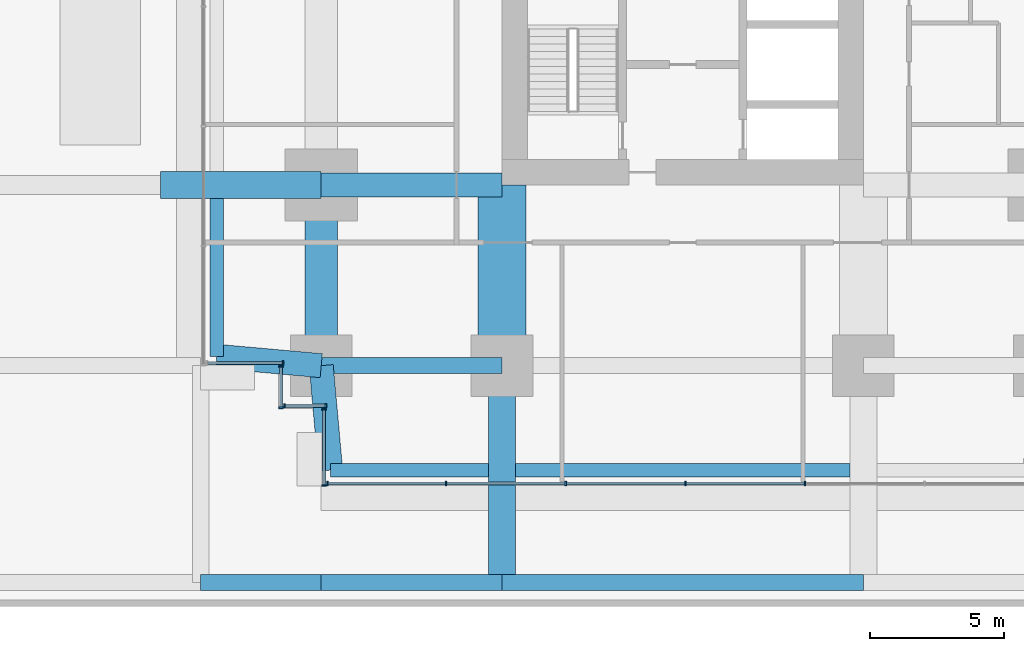
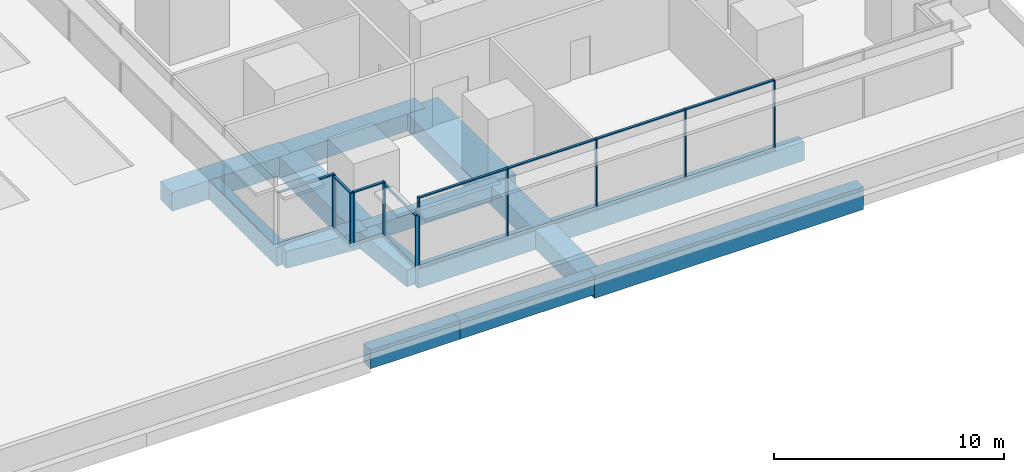
# One storey, part 13 of 34: 28 members, 14 beams, 5 elements without a shape of their own.
"""IFC4 building model written with IfcOpenShell, lengths in metres."""

from ifc_helpers import new_model, si_unit, direction, frame, origin, origin_2d, place, context, subcontext, project, spatial, rectangle, extrude, material, layer, layer_set, material_profile, profile_set, type_object, element, aggregate, save


model = new_model("IFC4")

# Units and contexts
model_context = context("Model", 3, precision=1e-05, world=origin(), true_north=direction((0.0, 1.0)))
body_context = subcontext(model_context, "Body", "Model", "MODEL_VIEW")
ifc_project = project(units=[si_unit("LENGTHUNIT", "METRE"), si_unit("AREAUNIT", "SQUARE_METRE"), si_unit("VOLUMEUNIT", "CUBIC_METRE"), si_unit("PLANEANGLEUNIT", "RADIAN"), si_unit("MASSUNIT", "GRAM", prefix="KILO")], contexts=[model_context])

# Site, building, storey
site_placement = place(None, origin())
site = spatial("IfcSite", under=ifc_project, at=site_placement, CompositionType="ELEMENT")
building_placement = place(site_placement, origin())
building = spatial("IfcBuilding", under=site, at=building_placement, Name="Namib Vertical Campus", CompositionType="ELEMENT")
storey_placement = place(building_placement, frame((0.0, 0.0, 21.0)))
storey = spatial("IfcBuildingStorey", under=building, at=storey_placement, Name="L04", CompositionType="ELEMENT", Elevation=21.0)

# Curtain wall, members
ifc_material_1 = material(Name="Black aluminium curtain wall", Category="aluminium")
ifc_layer = layer(ifc_material_1, 0.199951171875)
ifc_layer_set = layer_set([ifc_layer], Name="Lounge curtain wall CW-L4")
curtain_wall_type = type_object("IfcCurtainWallType", Name="Lounge curtain wall CW-L4", PredefinedType="USERDEFINED", material=ifc_layer_set)
curtain_wall_1_placement = place(storey_placement, origin())
curtain_wall_1 = element("IfcCurtainWall", 1, at=curtain_wall_1_placement, inside=storey, type_object=curtain_wall_type, Name="Curtain wall CW-L4 L04 F01-1", ObjectType="CURTAIN WALL", PredefinedType="USERDEFINED")
ifc_material_2 = material(Name="Black anodised aluminium", Category="aluminium")
ifc_material_profile_1 = material_profile(ifc_material_2, rectangle(XDim=0.06005859375, YDim=0.159912109375, at=origin_2d()))
ifc_profile_set_1 = profile_set([ifc_material_profile_1], Name="Black anodised aluminium")
member_type_1 = type_object("IfcMemberType", Name="Curtain wall mullion 60x160", PredefinedType="MULLION", material=ifc_profile_set_1)
member_1_placement = place(storey_placement, frame((67.72998046875, 0.10009765625, 0.0), z_axis=(0.0, 0.0, 1.0), x_axis=(1.0, 0.0, 0.0)))
member_1 = element("IfcMember", 2, at=member_1_placement, type_object=member_type_1, Name="CW-L4 mullion 1", PredefinedType="MULLION", context=body_context, shape_type="SweptSolid", body=[
    extrude(rectangle(XDim=0.06005859375, YDim=0.159912109375, at=origin_2d()), origin(), (0.0, 0.0, 1.0), 3.75),
])
member_2_placement = place(storey_placement, frame((72.166748046875, 0.10009765625, 0.0), z_axis=(0.0, 0.0, 1.0), x_axis=(1.0, 0.0, 0.0)))
member_2 = element("IfcMember", 3, at=member_2_placement, type_object=member_type_1, Name="CW-L4 mullion 2", PredefinedType="MULLION", context=body_context, shape_type="SweptSolid", body=[
    extrude(rectangle(XDim=0.06005859375, YDim=0.159912109375, at=origin_2d()), origin(), (0.0, 0.0, 1.0), 3.75),
])
member_3_placement = place(storey_placement, frame((76.63330078125, 0.10009765625, 0.0), z_axis=(0.0, 0.0, 1.0), x_axis=(1.0, 0.0, 0.0)))
member_3 = element("IfcMember", 4, at=member_3_placement, type_object=member_type_1, Name="CW-L4 mullion 3", PredefinedType="MULLION", context=body_context, shape_type="SweptSolid", body=[
    extrude(rectangle(XDim=0.06005859375, YDim=0.159912109375, at=origin_2d()), origin(), (0.0, 0.0, 1.0), 3.75),
])
member_4_placement = place(storey_placement, frame((81.10009765625, 0.10009765625, 0.0), z_axis=(0.0, 0.0, 1.0), x_axis=(1.0, 0.0, 0.0)))
member_4 = element("IfcMember", 5, at=member_4_placement, type_object=member_type_1, Name="CW-L4 mullion 4", PredefinedType="MULLION", context=body_context, shape_type="SweptSolid", body=[
    extrude(rectangle(XDim=0.06005859375, YDim=0.159912109375, at=origin_2d()), origin(), (0.0, 0.0, 1.0), 3.75),
])
member_5_placement = place(storey_placement, frame((85.566650390625, 0.10009765625, 0.0), z_axis=(0.0, 0.0, 1.0), x_axis=(1.0, 0.0, 0.0)))
member_5 = element("IfcMember", 6, at=member_5_placement, type_object=member_type_1, Name="CW-L4 mullion 5", PredefinedType="MULLION", context=body_context, shape_type="SweptSolid", body=[
    extrude(rectangle(XDim=0.06005859375, YDim=0.159912109375, at=origin_2d()), origin(), (0.0, 0.0, 1.0), 3.75),
])

# Curtain wall, member
curtain_wall_2_placement = place(storey_placement, origin())
curtain_wall_2 = element("IfcCurtainWall", 7, at=curtain_wall_2_placement, inside=storey, type_object=curtain_wall_type, Name="Curtain wall CW-L4 L04 F17-1", ObjectType="CURTAIN WALL", PredefinedType="USERDEFINED")
member_6_placement = place(storey_placement, frame((66.070068359375, 4.60009765625, 0.0), z_axis=(0.0, 0.0, 1.0), x_axis=(1.0, 0.0, 0.0)))
member_6 = element("IfcMember", 8, at=member_6_placement, type_object=member_type_1, Name="CW-L4 mullion 2", PredefinedType="MULLION", context=body_context, shape_type="SweptSolid", body=[
    extrude(rectangle(XDim=0.06005859375, YDim=0.159912109375, at=origin_2d()), origin(), (0.0, 0.0, 1.0), 2.85009765625),
])

# Curtain wall, members
curtain_wall_3_placement = place(storey_placement, origin())
curtain_wall_3 = element("IfcCurtainWall", 9, at=curtain_wall_3_placement, inside=storey, type_object=curtain_wall_type, Name="Curtain wall CW-L4 L04 F18-1", ObjectType="CURTAIN WALL", PredefinedType="USERDEFINED")
member_7_placement = place(storey_placement, frame((66.0, 4.469970703125, 0.0), z_axis=(0.0, 0.0, 1.0), x_axis=(0.0, -1.0, 0.0)))
member_7 = element("IfcMember", 10, at=member_7_placement, type_object=member_type_1, Name="CW-L4 mullion 1", PredefinedType="MULLION", context=body_context, shape_type="SweptSolid", body=[
    extrude(rectangle(XDim=0.06005859375, YDim=0.159912109375, at=origin_2d()), origin(), (0.0, 0.0, 1.0), 2.85009765625),
])
member_8_placement = place(storey_placement, frame((66.0, 2.929931640625, 0.0), z_axis=(0.0, 0.0, 1.0), x_axis=(0.0, -1.0, 0.0)))
member_8 = element("IfcMember", 11, at=member_8_placement, type_object=member_type_1, Name="CW-L4 mullion 2", PredefinedType="MULLION", context=body_context, shape_type="SweptSolid", body=[
    extrude(rectangle(XDim=0.06005859375, YDim=0.159912109375, at=origin_2d()), origin(), (0.0, 0.0, 1.0), 2.85009765625),
])

curtain_wall_4_placement = place(storey_placement, origin())
curtain_wall_4 = element("IfcCurtainWall", 12, at=curtain_wall_4_placement, inside=storey, type_object=curtain_wall_type, Name="Curtain wall CW-L4 L04 F19-1", ObjectType="CURTAIN WALL", PredefinedType="USERDEFINED")
member_9_placement = place(storey_placement, frame((66.1298828125, 3.0, 0.0), z_axis=(0.0, 0.0, 1.0), x_axis=(1.0, 0.0, 0.0)))
member_9 = element("IfcMember", 13, at=member_9_placement, type_object=member_type_1, Name="CW-L4 mullion 1", PredefinedType="MULLION", context=body_context, shape_type="SweptSolid", body=[
    extrude(rectangle(XDim=0.06005859375, YDim=0.159912109375, at=origin_2d()), origin(), (0.0, 0.0, 1.0), 2.85009765625),
])
member_10_placement = place(storey_placement, frame((67.669921875, 3.0, 0.0), z_axis=(0.0, 0.0, 1.0), x_axis=(1.0, 0.0, 0.0)))
member_10 = element("IfcMember", 14, at=member_10_placement, type_object=member_type_1, Name="CW-L4 mullion 2", PredefinedType="MULLION", context=body_context, shape_type="SweptSolid", body=[
    extrude(rectangle(XDim=0.06005859375, YDim=0.159912109375, at=origin_2d()), origin(), (0.0, 0.0, 1.0), 2.85009765625),
])

curtain_wall_5_placement = place(storey_placement, origin())
curtain_wall_5 = element("IfcCurtainWall", 15, at=curtain_wall_5_placement, inside=storey, type_object=curtain_wall_type, Name="Curtain wall CW-L4 L04 F20-1", ObjectType="CURTAIN WALL", PredefinedType="USERDEFINED")
member_11_placement = place(storey_placement, frame((67.60009765625, 2.8701171875, 0.0), z_axis=(0.0, 0.0, 1.0), x_axis=(0.0, -1.0, 0.0)))
member_11 = element("IfcMember", 16, at=member_11_placement, type_object=member_type_1, Name="CW-L4 mullion 1", PredefinedType="MULLION", context=body_context, shape_type="SweptSolid", body=[
    extrude(rectangle(XDim=0.06005859375, YDim=0.159912109375, at=origin_2d()), origin(), (0.0, 0.0, 1.0), 2.85009765625),
])
member_12_placement = place(storey_placement, frame((67.60009765625, 0.030029296875, 0.0), z_axis=(0.0, 0.0, 1.0), x_axis=(0.0, -1.0, 0.0)))
member_12 = element("IfcMember", 17, at=member_12_placement, type_object=member_type_1, Name="CW-L4 mullion 2", PredefinedType="MULLION", context=body_context, shape_type="SweptSolid", body=[
    extrude(rectangle(XDim=0.06005859375, YDim=0.159912109375, at=origin_2d()), origin(), (0.0, 0.0, 1.0), 2.85009765625),
])

# Member
ifc_material_3 = material(Name="Black anodised aluminium", Category="aluminium")
ifc_material_profile_2 = material_profile(ifc_material_3, rectangle(XDim=0.06005859375, YDim=0.1201171875, at=origin_2d()))
ifc_profile_set_2 = profile_set([ifc_material_profile_2], Name="Black anodised aluminium")
member_type_2 = type_object("IfcMemberType", Name="Curtain wall transom 60x120", PredefinedType="USERDEFINED", material=ifc_profile_set_2)
member_13_placement = place(storey_placement, frame((67.760009765625, 0.10009765625, 0.030029296875), z_axis=(1.0, 0.0, 0.0), x_axis=(0.0, 0.0, 1.0)))
member_13 = element("IfcMember", 18, at=member_13_placement, type_object=member_type_2, Name="CW-L4 transom 1.1", ObjectType="TRANSOM", PredefinedType="USERDEFINED", context=body_context, shape_type="SweptSolid", body=[
    extrude(rectangle(XDim=0.06005859375, YDim=0.1201171875, at=origin_2d()), origin(), (0.0, 0.0, 1.0), 4.376708984375),
])

member_14_placement = place(storey_placement, frame((67.760009765625, 0.10009765625, 3.719970703125), z_axis=(1.0, 0.0, 0.0), x_axis=(0.0, 0.0, 1.0)))
member_14 = element("IfcMember", 19, at=member_14_placement, type_object=member_type_2, Name="CW-L4 transom 1.2", ObjectType="TRANSOM", PredefinedType="USERDEFINED", context=body_context, shape_type="SweptSolid", body=[
    extrude(rectangle(XDim=0.06005859375, YDim=0.1201171875, at=origin_2d()), origin(), (0.0, 0.0, 1.0), 4.376708984375),
])

member_15_placement = place(storey_placement, frame((72.19677734375, 0.10009765625, 0.030029296875), z_axis=(1.0, 0.0, 0.0), x_axis=(0.0, 0.0, 1.0)))
member_15 = element("IfcMember", 20, at=member_15_placement, type_object=member_type_2, Name="CW-L4 transom 2.1", ObjectType="TRANSOM", PredefinedType="USERDEFINED", context=body_context, shape_type="SweptSolid", body=[
    extrude(rectangle(XDim=0.06005859375, YDim=0.1201171875, at=origin_2d()), origin(), (0.0, 0.0, 1.0), 4.406494140625),
])

member_16_placement = place(storey_placement, frame((72.19677734375, 0.10009765625, 3.719970703125), z_axis=(1.0, 0.0, 0.0), x_axis=(0.0, 0.0, 1.0)))
member_16 = element("IfcMember", 21, at=member_16_placement, type_object=member_type_2, Name="CW-L4 transom 2.2", ObjectType="TRANSOM", PredefinedType="USERDEFINED", context=body_context, shape_type="SweptSolid", body=[
    extrude(rectangle(XDim=0.06005859375, YDim=0.1201171875, at=origin_2d()), origin(), (0.0, 0.0, 1.0), 4.406494140625),
])

member_17_placement = place(storey_placement, frame((76.663330078125, 0.10009765625, 0.030029296875), z_axis=(1.0, 0.0, 0.0), x_axis=(0.0, 0.0, 1.0)))
member_17 = element("IfcMember", 22, at=member_17_placement, type_object=member_type_2, Name="CW-L4 transom 3.1", ObjectType="TRANSOM", PredefinedType="USERDEFINED", context=body_context, shape_type="SweptSolid", body=[
    extrude(rectangle(XDim=0.06005859375, YDim=0.1201171875, at=origin_2d()), origin(), (0.0, 0.0, 1.0), 4.40673828125),
])

member_18_placement = place(storey_placement, frame((76.663330078125, 0.10009765625, 3.719970703125), z_axis=(1.0, 0.0, 0.0), x_axis=(0.0, 0.0, 1.0)))
member_18 = element("IfcMember", 23, at=member_18_placement, type_object=member_type_2, Name="CW-L4 transom 3.2", ObjectType="TRANSOM", PredefinedType="USERDEFINED", context=body_context, shape_type="SweptSolid", body=[
    extrude(rectangle(XDim=0.06005859375, YDim=0.1201171875, at=origin_2d()), origin(), (0.0, 0.0, 1.0), 4.40673828125),
])

member_19_placement = place(storey_placement, frame((81.1298828125, 0.10009765625, 0.030029296875), z_axis=(1.0, 0.0, 0.0), x_axis=(0.0, 0.0, 1.0)))
member_19 = element("IfcMember", 24, at=member_19_placement, type_object=member_type_2, Name="CW-L4 transom 4.1", ObjectType="TRANSOM", PredefinedType="USERDEFINED", context=body_context, shape_type="SweptSolid", body=[
    extrude(rectangle(XDim=0.06005859375, YDim=0.1201171875, at=origin_2d()), origin(), (0.0, 0.0, 1.0), 4.40673828125),
])

member_20_placement = place(storey_placement, frame((81.1298828125, 0.10009765625, 3.719970703125), z_axis=(1.0, 0.0, 0.0), x_axis=(0.0, 0.0, 1.0)))
member_20 = element("IfcMember", 25, at=member_20_placement, type_object=member_type_2, Name="CW-L4 transom 4.2", ObjectType="TRANSOM", PredefinedType="USERDEFINED", context=body_context, shape_type="SweptSolid", body=[
    extrude(rectangle(XDim=0.06005859375, YDim=0.1201171875, at=origin_2d()), origin(), (0.0, 0.0, 1.0), 4.40673828125),
])

aggregate(curtain_wall_1, [member_1, member_2, member_3, member_4, member_5, member_13, member_14, member_15, member_16, member_17, member_18, member_19, member_20])

member_21_placement = place(storey_placement, frame((63.260009765625, 4.60009765625, 0.030029296875), z_axis=(1.0, 0.0, 0.0), x_axis=(0.0, 0.0, 1.0)))
member_21 = element("IfcMember", 26, at=member_21_placement, type_object=member_type_2, Name="CW-L4 transom 1.1", ObjectType="TRANSOM", PredefinedType="USERDEFINED", context=body_context, shape_type="SweptSolid", body=[
    extrude(rectangle(XDim=0.06005859375, YDim=0.1201171875, at=origin_2d()), origin(), (0.0, 0.0, 1.0), 2.780029296875),
])

member_22_placement = place(storey_placement, frame((63.260009765625, 4.60009765625, 2.820068359375), z_axis=(1.0, 0.0, 0.0), x_axis=(0.0, 0.0, 1.0)))
member_22 = element("IfcMember", 27, at=member_22_placement, type_object=member_type_2, Name="CW-L4 transom 1.2", ObjectType="TRANSOM", PredefinedType="USERDEFINED", context=body_context, shape_type="SweptSolid", body=[
    extrude(rectangle(XDim=0.06005859375, YDim=0.1201171875, at=origin_2d()), origin(), (0.0, 0.0, 1.0), 2.780029296875),
])

aggregate(curtain_wall_2, [member_6, member_21, member_22])

member_23_placement = place(storey_placement, frame((66.0, 4.43994140625, 0.030029296875), z_axis=(0.0, -1.0, 0.0), x_axis=(0.0, 0.0, 1.0)))
member_23 = element("IfcMember", 28, at=member_23_placement, type_object=member_type_2, Name="CW-L4 transom 1.1", ObjectType="TRANSOM", PredefinedType="USERDEFINED", context=body_context, shape_type="SweptSolid", body=[
    extrude(rectangle(XDim=0.06005859375, YDim=0.1201171875, at=origin_2d()), origin(), (0.0, 0.0, 1.0), 1.47998046875),
])

member_24_placement = place(storey_placement, frame((66.0, 4.43994140625, 2.820068359375), z_axis=(0.0, -1.0, 0.0), x_axis=(0.0, 0.0, 1.0)))
member_24 = element("IfcMember", 29, at=member_24_placement, type_object=member_type_2, Name="CW-L4 transom 1.2", ObjectType="TRANSOM", PredefinedType="USERDEFINED", context=body_context, shape_type="SweptSolid", body=[
    extrude(rectangle(XDim=0.06005859375, YDim=0.1201171875, at=origin_2d()), origin(), (0.0, 0.0, 1.0), 1.47998046875),
])

aggregate(curtain_wall_3, [member_7, member_8, member_23, member_24])

member_25_placement = place(storey_placement, frame((66.159912109375, 3.0, 0.030029296875), z_axis=(1.0, 0.0, 0.0), x_axis=(0.0, 0.0, 1.0)))
member_25 = element("IfcMember", 30, at=member_25_placement, type_object=member_type_2, Name="CW-L4 transom 1.1", ObjectType="TRANSOM", PredefinedType="USERDEFINED", context=body_context, shape_type="SweptSolid", body=[
    extrude(rectangle(XDim=0.06005859375, YDim=0.1201171875, at=origin_2d()), origin(), (0.0, 0.0, 1.0), 1.47998046875),
])

member_26_placement = place(storey_placement, frame((66.159912109375, 3.0, 2.820068359375), z_axis=(1.0, 0.0, 0.0), x_axis=(0.0, 0.0, 1.0)))
member_26 = element("IfcMember", 31, at=member_26_placement, type_object=member_type_2, Name="CW-L4 transom 1.2", ObjectType="TRANSOM", PredefinedType="USERDEFINED", context=body_context, shape_type="SweptSolid", body=[
    extrude(rectangle(XDim=0.06005859375, YDim=0.1201171875, at=origin_2d()), origin(), (0.0, 0.0, 1.0), 1.47998046875),
])

aggregate(curtain_wall_4, [member_9, member_10, member_25, member_26])

member_27_placement = place(storey_placement, frame((67.60009765625, 2.840087890625, 0.030029296875), z_axis=(0.0, -1.0, 0.0), x_axis=(0.0, 0.0, 1.0)))
member_27 = element("IfcMember", 32, at=member_27_placement, type_object=member_type_2, Name="CW-L4 transom 1.1", ObjectType="TRANSOM", PredefinedType="USERDEFINED", context=body_context, shape_type="SweptSolid", body=[
    extrude(rectangle(XDim=0.06005859375, YDim=0.1201171875, at=origin_2d()), origin(), (0.0, 0.0, 1.0), 2.780029296875),
])

member_28_placement = place(storey_placement, frame((67.60009765625, 2.840087890625, 2.820068359375), z_axis=(0.0, -1.0, 0.0), x_axis=(0.0, 0.0, 1.0)))
member_28 = element("IfcMember", 33, at=member_28_placement, type_object=member_type_2, Name="CW-L4 transom 1.2", ObjectType="TRANSOM", PredefinedType="USERDEFINED", context=body_context, shape_type="SweptSolid", body=[
    extrude(rectangle(XDim=0.06005859375, YDim=0.1201171875, at=origin_2d()), origin(), (0.0, 0.0, 1.0), 2.780029296875),
])

aggregate(curtain_wall_5, [member_11, member_12, member_27, member_28])

# Beams
ifc_material_4 = material(Name="Concrete C40/50", Category="concrete")
ifc_material_profile_3 = material_profile(ifc_material_4, rectangle(XDim=0.89990234375, YDim=0.89990234375, at=origin_2d()))
ifc_profile_set_3 = profile_set([ifc_material_profile_3], Name="Concrete C40/50")
beam_type_1 = type_object("IfcBeamType", Name="Face girder RC 900x900", PredefinedType="BEAM", material=ifc_profile_set_3)
beam_1_placement = place(storey_placement, frame((67.5, 11.25, -0.75), z_axis=(1.0, 0.0, 0.0), x_axis=(0.0, 1.0, 0.0)))
element("IfcBeam", 34, at=beam_1_placement, inside=storey, type_object=beam_type_1, Name="Beam B10 L04", PredefinedType="BEAM", context=body_context, shape_type="SweptSolid", body=[
    extrude(rectangle(XDim=0.89990234375, YDim=0.89990234375, at=origin_2d()), origin(), (0.0, 0.0, 1.0), 6.75),
])
ifc_material_5 = material(Name="Concrete C40/50", Category="concrete")
ifc_material_profile_4 = material_profile(ifc_material_5, rectangle(XDim=1.199951171875, YDim=1.10009765625, at=origin_2d()))
ifc_profile_set_4 = profile_set([ifc_material_profile_4], Name="Concrete C40/50")
beam_type_2 = type_object("IfcBeamType", Name="Face ring beam RC 1200x1100", PredefinedType="BEAM", material=ifc_profile_set_4)
beam_2_placement = place(storey_placement, frame((67.5, 4.5, -0.85009765625), z_axis=(0.0, 1.0, 0.0), x_axis=(-1.0, 0.0, 0.0)))
element("IfcBeam", 35, at=beam_2_placement, inside=storey, type_object=beam_type_2, Name="Beam B11 L04", PredefinedType="BEAM", context=body_context, shape_type="SweptSolid", body=[
    extrude(rectangle(XDim=1.199951171875, YDim=1.10009765625, at=origin_2d()), origin(), (0.0, 0.0, 1.0), 6.75),
])
ifc_material_6 = material(Name="Concrete C40/50", Category="concrete")
ifc_material_profile_5 = material_profile(ifc_material_6, rectangle(XDim=0.60009765625, YDim=1.199951171875, at=origin_2d()))
ifc_profile_set_5 = profile_set([ifc_material_profile_5], Name="Concrete C40/50")
beam_type_3 = type_object("IfcBeamType", Name="Long-span podium beam RC 600x1200", PredefinedType="BEAM", material=ifc_profile_set_5)
beam_3_placement = place(storey_placement, frame((74.25, -3.60009765625, -0.89990234375), z_axis=(1.0, 0.0, 0.0), x_axis=(0.0, 1.0, 0.0)))
element("IfcBeam", 36, at=beam_3_placement, inside=storey, type_object=beam_type_3, Name="Beam PB4 L04", PredefinedType="BEAM", context=body_context, shape_type="SweptSolid", body=[
    extrude(rectangle(XDim=0.60009765625, YDim=1.199951171875, at=origin_2d()), origin(), (0.0, 0.0, 1.0), 13.5),
])
ifc_material_7 = material(Name="Concrete C40/50", Category="concrete")
ifc_material_profile_6 = material_profile(ifc_material_7, rectangle(XDim=1.800048828125, YDim=0.89990234375, at=origin_2d()))
ifc_profile_set_6 = profile_set([ifc_material_profile_6], Name="Concrete C40/50")
beam_type_4 = type_object("IfcBeamType", Name="Outrigger line girder RC 1800x900", PredefinedType="BEAM", material=ifc_profile_set_6)
beam_4_placement = place(storey_placement, frame((74.25, 4.5, -0.75), z_axis=(0.0, 1.0, 0.0), x_axis=(-1.0, 0.0, 0.0)))
element("IfcBeam", 37, at=beam_4_placement, inside=storey, type_object=beam_type_4, Name="Beam B12 L04", PredefinedType="BEAM", context=body_context, shape_type="SweptSolid", body=[
    extrude(rectangle(XDim=1.800048828125, YDim=0.89990234375, at=origin_2d()), origin(), (0.0, 0.0, 1.0), 6.75),
])
ifc_material_8 = material(Name="Concrete C40/50", Category="concrete")
ifc_material_profile_7 = material_profile(ifc_material_8, rectangle(XDim=0.60009765625, YDim=1.0, at=origin_2d()))
ifc_profile_set_7 = profile_set([ifc_material_profile_7], Name="Concrete C40/50")
beam_type_5 = type_object("IfcBeamType", Name="Podium beam RC 600x1000", PredefinedType="BEAM", material=ifc_profile_set_7)
beam_5_placement = place(storey_placement, frame((63.0, -3.60009765625, -0.800048828125), z_axis=(1.0, 0.0, 0.0), x_axis=(0.0, 1.0, 0.0)))
element("IfcBeam", 38, at=beam_5_placement, inside=storey, type_object=beam_type_5, Name="Beam PB1 L04", PredefinedType="BEAM", context=body_context, shape_type="SweptSolid", body=[
    extrude(rectangle(XDim=0.60009765625, YDim=1.0, at=origin_2d()), origin(), (0.0, 0.0, 1.0), 4.5),
])
beam_6_placement = place(storey_placement, frame((67.5, -3.60009765625, -0.800048828125), z_axis=(1.0, 0.0, 0.0), x_axis=(0.0, 1.0, 0.0)))
element("IfcBeam", 39, at=beam_6_placement, inside=storey, type_object=beam_type_5, Name="Beam PB1 L04", PredefinedType="BEAM", context=body_context, shape_type="SweptSolid", body=[
    extrude(rectangle(XDim=0.60009765625, YDim=1.0, at=origin_2d()), origin(), (0.0, 0.0, 1.0), 6.75),
])
ifc_material_9 = material(Name="Concrete C40/50", Category="concrete")
ifc_material_profile_8 = material_profile(ifc_material_9, rectangle(XDim=0.89990234375, YDim=0.89990234375, at=origin_2d()))
ifc_profile_set_8 = profile_set([ifc_material_profile_8], Name="Concrete C40/50")
beam_type_6 = type_object("IfcBeamType", Name="Podium roof corner cantilever RC 900x900", PredefinedType="BEAM", material=ifc_profile_set_8)
for number, where, z_axis, x_axis, name in (
    (40, (67.5, 4.5, -0.75), (0.089411326146, -0.995994786511, 0.0), (0.995994786511, 0.089411326146, 0.0), "Beam B13 L04"),
    (41, (67.5, 4.5, -0.75), (-0.995994786511, 0.089411326146, 0.0), (-0.089411326146, -0.995994786511, 0.0), "Beam B13 L04"),
):
    element("IfcBeam", number, at=place(storey_placement, frame(where, z_axis=z_axis, x_axis=x_axis)), inside=storey, type_object=beam_type_6, Name=name, PredefinedType="BEAM", context=body_context, shape_type="SweptSolid", body=[
        extrude(rectangle(XDim=0.89990234375, YDim=0.89990234375, at=origin_2d()), origin(), (0.0, 0.0, 1.0), 3.91552734375),
    ])
ifc_material_10 = material(Name="Concrete C40/50", Category="concrete")
ifc_material_profile_9 = material_profile(ifc_material_10, rectangle(XDim=0.5, YDim=1.0, at=origin_2d()))
ifc_profile_set_9 = profile_set([ifc_material_profile_9], Name="Concrete C40/50")
beam_type_7 = type_object("IfcBeamType", Name="Podium roof edge beam RC 500x1000", PredefinedType="SPANDREL", material=ifc_profile_set_9)
beam_7_placement = place(storey_placement, frame((67.85009765625, 0.60009765625, -0.800048828125), z_axis=(1.0, 0.0, 0.0), x_axis=(0.0, 1.0, 0.0)))
element("IfcBeam", 42, at=beam_7_placement, inside=storey, type_object=beam_type_7, Name="Beam B8 L04", PredefinedType="SPANDREL", context=body_context, shape_type="SweptSolid", body=[
    extrude(rectangle(XDim=0.5, YDim=1.0, at=origin_2d()), origin(), (0.0, 0.0, 1.0), 5.89990234375),
])
beam_8_placement = place(storey_placement, frame((74.75, 0.60009765625, -0.800048828125), z_axis=(1.0, 0.0, 0.0), x_axis=(0.0, 1.0, 0.0)))
element("IfcBeam", 43, at=beam_8_placement, inside=storey, type_object=beam_type_7, Name="Beam B8 L04", PredefinedType="SPANDREL", context=body_context, shape_type="SweptSolid", body=[
    extrude(rectangle(XDim=0.5, YDim=1.0, at=origin_2d()), origin(), (0.0, 0.0, 1.0), 12.5),
])
beam_9_placement = place(storey_placement, frame((63.60009765625, 4.85009765625, -0.800048828125), z_axis=(0.0, 1.0, 0.0), x_axis=(-1.0, 0.0, 0.0)))
element("IfcBeam", 44, at=beam_9_placement, inside=storey, type_object=beam_type_7, Name="Beam B8 L04", PredefinedType="SPANDREL", context=body_context, shape_type="SweptSolid", body=[
    extrude(rectangle(XDim=0.5, YDim=1.0, at=origin_2d()), origin(), (0.0, 0.0, 1.0), 5.89990234375),
])
ifc_material_11 = material(Name="Concrete C40/50", Category="concrete")
ifc_material_profile_10 = material_profile(ifc_material_11, rectangle(XDim=1.0, YDim=1.0, at=origin_2d()))
ifc_profile_set_10 = profile_set([ifc_material_profile_10], Name="Concrete C40/50")
beam_type_8 = type_object("IfcBeamType", Name="Podium tie beam RC 1000x1000", PredefinedType="BEAM", material=ifc_profile_set_10)
beam_10_placement = place(storey_placement, frame((74.25, -3.60009765625, -0.800048828125), z_axis=(0.0, 1.0, 0.0), x_axis=(-1.0, 0.0, 0.0)))
element("IfcBeam", 45, at=beam_10_placement, inside=storey, type_object=beam_type_8, Name="Beam PB3 L04", PredefinedType="BEAM", context=body_context, shape_type="SweptSolid", body=[
    extrude(rectangle(XDim=1.0, YDim=1.0, at=origin_2d()), origin(), (0.0, 0.0, 1.0), 8.10009765625),
])
beam_11_placement = place(storey_placement, frame((61.5, 11.25, -0.800048828125), z_axis=(1.0, 0.0, 0.0), x_axis=(0.0, 1.0, 0.0)))
element("IfcBeam", 46, at=beam_11_placement, inside=storey, type_object=beam_type_8, Name="Beam PB3 L04", PredefinedType="BEAM", context=body_context, shape_type="SweptSolid", body=[
    extrude(rectangle(XDim=1.0, YDim=1.0, at=origin_2d()), origin(), (0.0, 0.0, 1.0), 6.0),
])
ifc_material_12 = material(Name="Concrete C40/50", Category="concrete")
ifc_material_profile_11 = material_profile(ifc_material_12, rectangle(XDim=0.60009765625, YDim=0.800048828125, at=origin_2d()))
ifc_profile_set_11 = profile_set([ifc_material_profile_11], Name="Concrete C40/50")
beam_type_9 = type_object("IfcBeamType", Name="Ring beam RC 600x800", PredefinedType="BEAM", material=ifc_profile_set_11)
beam_12_placement = place(storey_placement, frame((67.5, 4.5, -0.699951171875), z_axis=(1.0, 0.0, 0.0), x_axis=(0.0, 1.0, 0.0)))
element("IfcBeam", 47, at=beam_12_placement, inside=storey, type_object=beam_type_9, Name="Beam B1 L04", PredefinedType="BEAM", context=body_context, shape_type="SweptSolid", body=[
    extrude(rectangle(XDim=0.60009765625, YDim=0.800048828125, at=origin_2d()), origin(), (0.0, 0.0, 1.0), 6.75),
])

save(model, "model.ifc")
